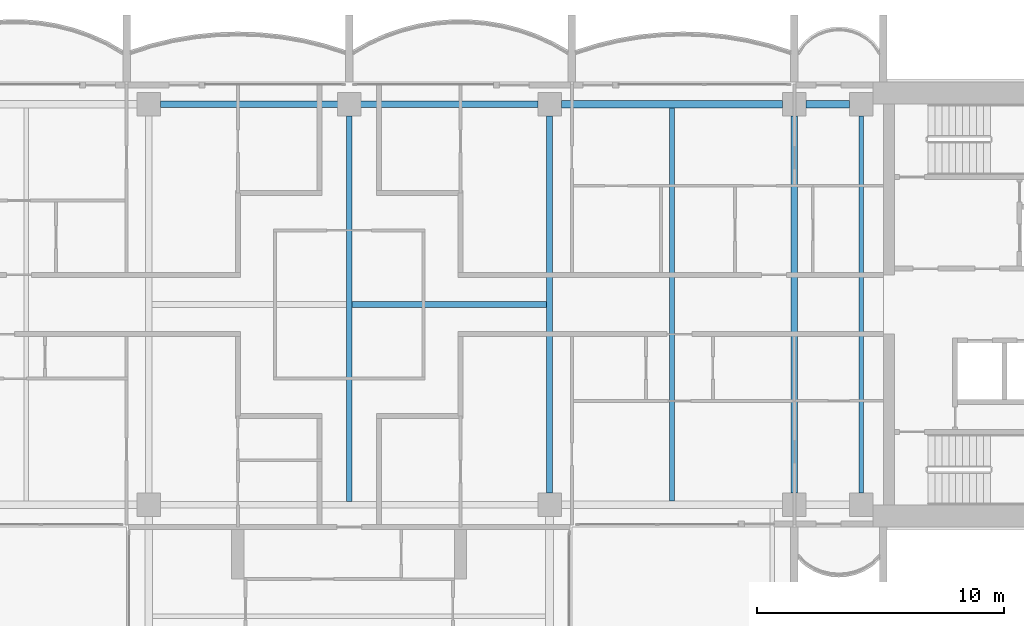
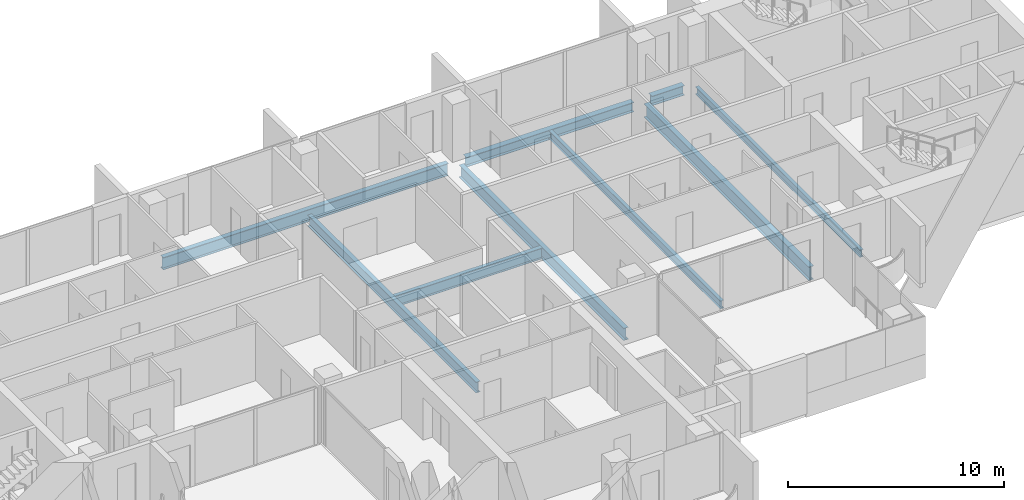
# One storey, part 4 of 17: 9 beams.
"""IFC4 building model written with IfcOpenShell, lengths in metres."""

from ifc_helpers import new_model, si_unit, direction, frame, origin, origin_2d, place, context, subcontext, project, spatial, i_section, extrude, material, material_profile, profile_set, type_object, element, save


model = new_model("IFC4")

# Units and contexts
model_context = context("Model", 3, precision=1e-05, world=origin(), true_north=direction((0.0, 1.0)))
body_context = subcontext(model_context, "Body", "Model", "MODEL_VIEW")
ifc_project = project(units=[si_unit("LENGTHUNIT", "METRE"), si_unit("AREAUNIT", "SQUARE_METRE"), si_unit("VOLUMEUNIT", "CUBIC_METRE"), si_unit("PLANEANGLEUNIT", "RADIAN"), si_unit("MASSUNIT", "GRAM", prefix="KILO")], contexts=[model_context])

# Site, building, storey
site_placement = place(None, origin())
site = spatial("IfcSite", under=ifc_project, at=site_placement, CompositionType="ELEMENT")
building_placement = place(site_placement, origin())
building = spatial("IfcBuilding", under=site, at=building_placement, Name="Perihelion Cross Residences", CompositionType="ELEMENT")
storey_placement = place(building_placement, frame((0.0, 0.0, 198.10009765625)))
storey = spatial("IfcBuildingStorey", under=building, at=storey_placement, Name="L49", CompositionType="ELEMENT", Elevation=198.10009765625)

# Beams
ifc_material_1 = material(Name="Steel S355", Category="steel")
ifc_material_profile_1 = material_profile(ifc_material_1, i_section(OverallWidth=0.180908203125, OverallDepth=0.4169921875, WebThickness=0.010986328125, FlangeThickness=0.018310546875, at=origin_2d()), Name="W410x85")
ifc_profile_set_1 = profile_set([ifc_material_profile_1], Name="Steel S355")
beam_type_1 = type_object("IfcBeamType", Name="Core edge beam W410x85", PredefinedType="BEAM", material=ifc_profile_set_1)
beam_1_placement = place(storey_placement, frame((20.699951171875, -7.625, -0.45849609375), z_axis=(0.0, 1.0, 0.0), x_axis=(-1.0, 0.0, 0.0)))
element("IfcBeam", 1, at=beam_1_placement, inside=storey, type_object=beam_type_1, Name="Core edge beam TB6 L49 no. 2", PredefinedType="BEAM", context=body_context, shape_type="SweptSolid", body=[
    extrude(i_section(OverallWidth=0.180908203125, OverallDepth=0.4169921875, WebThickness=0.010986328125, FlangeThickness=0.018310546875, at=origin_2d()), origin(), (0.0, 0.0, 1.0), 15.25),
])
ifc_material_2 = material(Name="Steel S355", Category="steel")
ifc_material_profile_2 = material_profile(ifc_material_2, i_section(OverallWidth=0.31201171875, OverallDepth=0.5439453125, WebThickness=0.0126953125, FlangeThickness=0.020263671875, at=origin_2d()), Name="W530x150")
ifc_profile_set_2 = profile_set([ifc_material_profile_2], Name="Steel S355")
beam_type_2 = type_object("IfcBeamType", Name="Edge beam W530x150", PredefinedType="SPANDREL", material=ifc_profile_set_2)
beam_2_placement = place(storey_placement, frame((20.22509765625, 8.10009765625, -0.522216796875), z_axis=(-1.0, 0.0, 0.0), x_axis=(0.0, -1.0, 0.0)))
element("IfcBeam", 2, at=beam_2_placement, inside=storey, type_object=beam_type_2, Name="Edge beam SB4 L49 no. 10", PredefinedType="SPANDREL", context=body_context, shape_type="SweptSolid", body=[
    extrude(i_section(OverallWidth=0.31201171875, OverallDepth=0.5439453125, WebThickness=0.0126953125, FlangeThickness=0.020263671875, at=origin_2d()), origin(), (0.0, 0.0, 1.0), 1.75),
])
beam_3_placement = place(storey_placement, frame((17.52490234375, 8.10009765625, -0.522216796875), z_axis=(-1.0, 0.0, 0.0), x_axis=(0.0, -1.0, 0.0)))
element("IfcBeam", 3, at=beam_3_placement, inside=storey, type_object=beam_type_2, Name="Edge beam SB4 L49 no. 9", PredefinedType="SPANDREL", context=body_context, shape_type="SweptSolid", body=[
    extrude(i_section(OverallWidth=0.31201171875, OverallDepth=0.5439453125, WebThickness=0.0126953125, FlangeThickness=0.020263671875, at=origin_2d()), origin(), (0.0, 0.0, 1.0), 8.949951171875),
])
ifc_material_3 = material(Name="Steel S355", Category="steel")
ifc_material_profile_3 = material_profile(ifc_material_3, i_section(OverallWidth=0.26708984375, OverallDepth=0.77001953125, WebThickness=0.015625, FlangeThickness=0.025390625, at=origin_2d()), Name="W760x196")
ifc_profile_set_3 = profile_set([ifc_material_profile_3], Name="Steel S355")
beam_type_3 = type_object("IfcBeamType", Name="Floor girder W760x196", PredefinedType="BEAM", material=ifc_profile_set_3)
beam_4_placement = place(storey_placement, frame((18.0, -7.625, -0.635009765625), z_axis=(0.0, 1.0, 0.0), x_axis=(-1.0, 0.0, 0.0)))
element("IfcBeam", 4, at=beam_4_placement, inside=storey, type_object=beam_type_3, Name="Girder G4 L49 no. 2", PredefinedType="BEAM", context=body_context, shape_type="SweptSolid", body=[
    extrude(i_section(OverallWidth=0.26708984375, OverallDepth=0.77001953125, WebThickness=0.015625, FlangeThickness=0.025390625, at=origin_2d()), origin(), (0.0, 0.0, 1.0), 15.25),
])
ifc_material_4 = material(Name="Steel S355", Category="steel")
ifc_material_profile_4 = material_profile(ifc_material_4, i_section(OverallWidth=0.19091796875, OverallDepth=0.45703125, WebThickness=0.009033203125, FlangeThickness=0.014404296875, at=origin_2d()), Name="W460x74")
ifc_profile_set_4 = profile_set([ifc_material_profile_4], Name="Steel S355")
beam_type_4 = type_object("IfcBeamType", Name="Floor joist W460x74", PredefinedType="JOIST", material=ifc_profile_set_4)
beam_5_placement = place(storey_placement, frame((13.050048828125, -7.944091796875, -0.478515625), z_axis=(0.0, 1.0, 0.0), x_axis=(-1.0, 0.0, 0.0)))
element("IfcBeam", 5, at=beam_5_placement, inside=storey, type_object=beam_type_4, Name="Joist J5 L49 no. 2", PredefinedType="JOIST", context=body_context, shape_type="SweptSolid", body=[
    extrude(i_section(OverallWidth=0.19091796875, OverallDepth=0.45703125, WebThickness=0.009033203125, FlangeThickness=0.014404296875, at=origin_2d()), origin(), (0.0, 0.0, 1.0), 15.88818359375),
])
ifc_material_5 = material(Name="Steel S355", Category="steel")
ifc_material_profile_5 = material_profile(ifc_material_5, i_section(OverallWidth=0.22900390625, OverallDepth=0.612060546875, WebThickness=0.011962890625, FlangeThickness=0.01953125, at=origin_2d()), Name="W610x125")
ifc_profile_set_5 = profile_set([ifc_material_profile_5], Name="Steel S355")
beam_type_5 = type_object("IfcBeamType", Name="Hub cross beam W610x125", PredefinedType="BEAM", material=ifc_profile_set_5)
beam_6_placement = place(storey_placement, frame((0.0, -7.971435546875, -0.55615234375), z_axis=(0.0, 1.0, 0.0), x_axis=(-1.0, 0.0, 0.0)))
element("IfcBeam", 6, at=beam_6_placement, inside=storey, type_object=beam_type_5, Name="Hub cross beam XB4 L49 no. 1", PredefinedType="BEAM", context=body_context, shape_type="SweptSolid", body=[
    extrude(i_section(OverallWidth=0.22900390625, OverallDepth=0.612060546875, WebThickness=0.011962890625, FlangeThickness=0.01953125, at=origin_2d()), origin(), (0.0, 0.0, 1.0), 15.596435546875),
])
beam_7_placement = place(storey_placement, frame((0.114501953125, 0.0, -0.55615234375), z_axis=(1.0, 0.0, 0.0), x_axis=(0.0, 1.0, 0.0)))
element("IfcBeam", 7, at=beam_7_placement, inside=storey, type_object=beam_type_5, Name="Hub cross beam XB4 L49 2 no. 1", PredefinedType="BEAM", context=body_context, shape_type="SweptSolid", body=[
    extrude(i_section(OverallWidth=0.22900390625, OverallDepth=0.612060546875, WebThickness=0.011962890625, FlangeThickness=0.01953125, at=origin_2d()), origin(), (0.0, 0.0, 1.0), 7.85693359375),
])
ifc_material_6 = material(Name="Steel S355", Category="steel")
ifc_material_profile_6 = material_profile(ifc_material_6, i_section(OverallWidth=0.257080078125, OverallDepth=0.693115234375, WebThickness=0.014404296875, FlangeThickness=0.023681640625, at=origin_2d()), Name="W690x170")
ifc_profile_set_6 = profile_set([ifc_material_profile_6], Name="Steel S355")
beam_type_6 = type_object("IfcBeamType", Name="Hub ring girder W690x170", PredefinedType="BEAM", material=ifc_profile_set_6)
for number, where, z_axis, x_axis, name in (
    (8, (8.10009765625, -7.625, -0.5966796875), (0.0, 1.0, 0.0), (-1.0, 0.0, 0.0), "Hub ring girder RG4 L49 no. 3"),
    (9, (7.625, 8.10009765625, -0.5966796875), (-1.0, 0.0, 0.0), (0.0, -1.0, 0.0), "Hub ring girder RG4 L49 no. 4"),
):
    element("IfcBeam", number, at=place(storey_placement, frame(where, z_axis=z_axis, x_axis=x_axis)), inside=storey, type_object=beam_type_6, Name=name, PredefinedType="BEAM", context=body_context, shape_type="SweptSolid", body=[
        extrude(i_section(OverallWidth=0.257080078125, OverallDepth=0.693115234375, WebThickness=0.014404296875, FlangeThickness=0.023681640625, at=origin_2d()), origin(), (0.0, 0.0, 1.0), 15.25),
    ])

save(model, "model.ifc")
